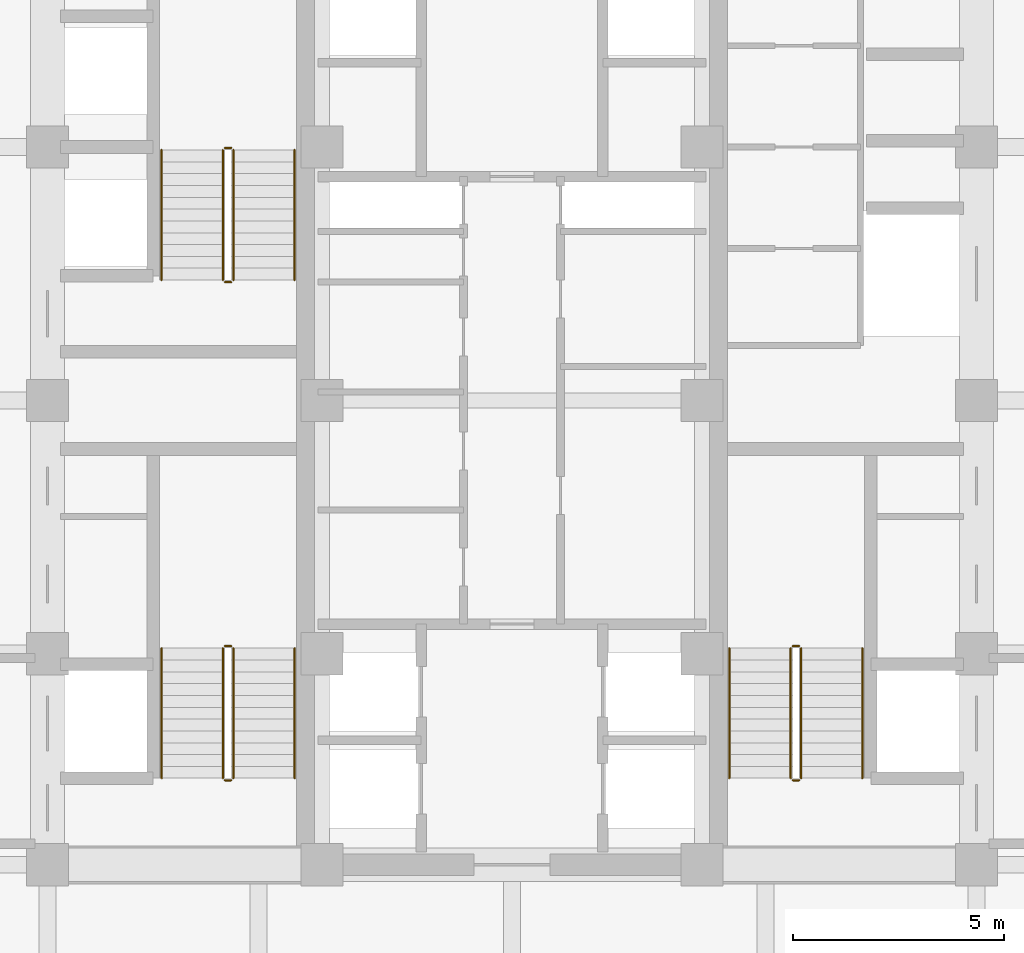
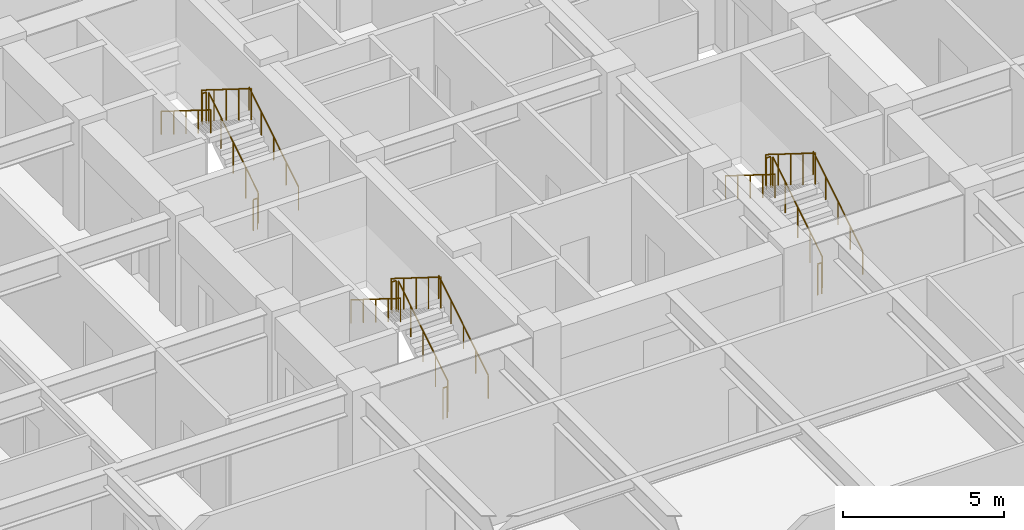
# One storey, part 28 of 28: 18 railings.
"""IFC4 building model written with IfcOpenShell, lengths in metres."""

from ifc_helpers import new_model, si_unit, direction, frame, origin, origin_2d, place, context, subcontext, project, spatial, circle, extrude, source, transform, mapped, material, type_object, element, save


model = new_model("IFC4")

# Units and contexts
model_context = context("Model", 3, precision=1e-05, world=origin(), true_north=direction((0.0, 1.0)))
body_context = subcontext(model_context, "Body", "Model", "MODEL_VIEW")
ifc_project = project(units=[si_unit("LENGTHUNIT", "METRE"), si_unit("AREAUNIT", "SQUARE_METRE"), si_unit("VOLUMEUNIT", "CUBIC_METRE"), si_unit("PLANEANGLEUNIT", "RADIAN"), si_unit("MASSUNIT", "GRAM", prefix="KILO")], contexts=[model_context])

# Site, building, storey
site_placement = place(None, origin())
site = spatial("IfcSite", under=ifc_project, at=site_placement, CompositionType="ELEMENT")
building_placement = place(site_placement, origin())
building = spatial("IfcBuilding", under=site, at=building_placement, Name="Khorayat Bourse Tower", CompositionType="ELEMENT")
storey_placement = place(building_placement, frame((0.0, 0.0, 66.199951171875)))
storey = spatial("IfcBuildingStorey", under=building, at=storey_placement, Name="L14", CompositionType="ELEMENT", Elevation=66.199951171875)

# Railings
ifc_material_1 = material(Name="Powder-coated steel balustrade", Category="steel")
railing_type_1 = type_object("IfcRailingType", Name="RLG-GUARD-1200", PredefinedType="GUARDRAIL", material=ifc_material_1)
shared_shape_1 = source(origin(), body_context, "Body", "SweptSolid", [
    extrude(circle(Radius=0.02392578125, at=origin_2d()), frame((0.0, 0.0, 1.17578125), z_axis=(-1.0, 0.0, 0.0), x_axis=(0.0, -1.0, 0.0)), (0.0, 0.0, 1.0), 0.150146484375),
    extrude(circle(Radius=0.02099609375, at=origin_2d()), origin(), (0.0, 0.0, 1.0), 1.15185546875),
    extrude(circle(Radius=0.02099609375, at=origin_2d()), frame((-0.150146484375, 0.0, 0.0)), (0.0, 0.0, 1.0), 1.15185546875),
])
for number, where, name in (
    (1, (-6.64990234375, -5.820068359375, 2.10009765625), "L14 ST-1 stair guard 2"),
    (2, (-6.64990234375, -9.0, 0.0), "L14 ST-1 stair guard 4"),
    (3, (-6.64990234375, 5.97998046875, 2.10009765625), "L14 ST-2 stair guard 2"),
    (4, (-6.64990234375, 2.800048828125, 0.0), "L14 ST-2 stair guard 4"),
    (5, (6.800048828125, -5.820068359375, 2.10009765625), "L14 ST-3 stair guard 2"),
    (6, (6.800048828125, -9.0, 0.0), "L14 ST-3 stair guard 4"),
):
    element("IfcRailing", number, at=place(storey_placement, frame(where)), inside=storey, type_object=railing_type_1, Name=name, PredefinedType="GUARDRAIL", context=body_context, shape_type="MappedRepresentation", body=[
        mapped(shared_shape_1, transform((0.0, 0.0, 0.0), scale=1.0)),
    ])
shared_shape_2 = source(origin(), body_context, "Body", "SweptSolid", [
    extrude(circle(Radius=0.02392578125, at=origin_2d()), frame((0.0, 0.0, 1.17578125), z_axis=(0.0, 0.847979421464, 0.530029150871), x_axis=(-1.0, 0.0, 0.0)), (0.0, 0.0, 1.0), 3.632080078125),
    extrude(circle(Radius=0.02099609375, at=origin_2d()), origin(), (0.0, 0.0, 1.0), 1.15185546875),
    extrude(circle(Radius=0.02099609375, at=origin_2d()), frame((0.0, 0.77001953125, 0.481201171875)), (0.0, 0.0, 1.0), 1.15185546875),
    extrude(circle(Radius=0.02099609375, at=origin_2d()), frame((0.0, 1.5400390625, 0.96240234375)), (0.0, 0.0, 1.0), 1.15185546875),
    extrude(circle(Radius=0.02099609375, at=origin_2d()), frame((0.0, 2.309814453125, 1.44384765625)), (0.0, 0.0, 1.0), 1.15185546875),
    extrude(circle(Radius=0.02099609375, at=origin_2d()), frame((0.0, 3.079833984375, 1.925048828125)), (0.0, 0.0, 1.0), 1.15185546875),
])
for number, where, name in (
    (7, (-6.60009765625, -8.949951171875, 0.175048828125), "L14 ST-1 stair guard 1"),
    (8, (-6.60009765625, 2.85009765625, 0.175048828125), "L14 ST-2 stair guard 1"),
    (9, (6.85009765625, -8.949951171875, 0.175048828125), "L14 ST-3 stair guard 1"),
):
    element("IfcRailing", number, at=place(storey_placement, frame(where)), inside=storey, type_object=railing_type_1, Name=name, PredefinedType="GUARDRAIL", context=body_context, shape_type="MappedRepresentation", body=[
        mapped(shared_shape_2, transform((0.0, 0.0, 0.0), scale=1.0)),
    ])
ifc_material_2 = material(Name="Brushed bronze stainless-steel handrail", Category="steel")
railing_type_2 = type_object("IfcRailingType", Name="RLG-HAND-900", PredefinedType="HANDRAIL", material=ifc_material_2)
shared_shape_3 = source(origin(), body_context, "Body", "SweptSolid", [
    extrude(circle(Radius=0.02392578125, at=origin_2d()), frame((0.0, 0.0, 0.8759765625), z_axis=(0.0, 0.847979421464, 0.530029150871), x_axis=(-1.0, 0.0, 0.0)), (0.0, 0.0, 1.0), 3.632080078125),
    extrude(circle(Radius=0.02099609375, at=origin_2d()), origin(), (0.0, 0.0, 1.0), 0.851806640625),
    extrude(circle(Radius=0.02099609375, at=origin_2d()), frame((0.0, 0.77001953125, 0.481201171875)), (0.0, 0.0, 1.0), 0.851806640625),
    extrude(circle(Radius=0.02099609375, at=origin_2d()), frame((0.0, 1.5400390625, 0.96240234375)), (0.0, 0.0, 1.0), 0.851806640625),
    extrude(circle(Radius=0.02099609375, at=origin_2d()), frame((0.0, 2.309814453125, 1.44384765625)), (0.0, 0.0, 1.0), 0.851806640625),
    extrude(circle(Radius=0.02099609375, at=origin_2d()), frame((0.0, 3.079833984375, 1.925048828125)), (0.0, 0.0, 1.0), 0.851806640625),
])
for number, where, name in (
    (10, (-5.14990234375, -8.949951171875, 0.175048828125), "L14 ST-1 stair handrail 1"),
    (11, (-5.14990234375, 2.85009765625, 0.175048828125), "L14 ST-2 stair handrail 1"),
    (12, (8.300048828125, -8.949951171875, 0.175048828125), "L14 ST-3 stair handrail 1"),
):
    element("IfcRailing", number, at=place(storey_placement, frame(where)), inside=storey, type_object=railing_type_2, Name=name, PredefinedType="HANDRAIL", context=body_context, shape_type="MappedRepresentation", body=[
        mapped(shared_shape_3, transform((0.0, 0.0, 0.0), scale=1.0)),
    ])
shared_shape_4 = source(origin(), body_context, "Body", "SweptSolid", [
    extrude(circle(Radius=0.02392578125, at=origin_2d()), frame((0.0, 0.0, 1.17578125), z_axis=(0.0, -0.848009633417, 0.529980812513), x_axis=(1.0, 0.0, 0.0)), (0.0, 0.0, 1.0), 3.6318359375),
    extrude(circle(Radius=0.02099609375, at=origin_2d()), origin(), (0.0, 0.0, 1.0), 1.15185546875),
    extrude(circle(Radius=0.02099609375, at=origin_2d()), frame((0.0, -0.77001953125, 0.481201171875)), (0.0, 0.0, 1.0), 1.15185546875),
    extrude(circle(Radius=0.02099609375, at=origin_2d()), frame((0.0, -1.5400390625, 0.96240234375)), (0.0, 0.0, 1.0), 1.15185546875),
    extrude(circle(Radius=0.02099609375, at=origin_2d()), frame((0.0, -2.309814453125, 1.443603515625)), (0.0, 0.0, 1.0), 1.15185546875),
    extrude(circle(Radius=0.02099609375, at=origin_2d()), frame((0.0, -3.079833984375, 1.9248046875)), (0.0, 0.0, 1.0), 1.15185546875),
])
for number, where, name in (
    (13, (-6.85009765625, -5.8701171875, 2.275146484375), "L14 ST-1 stair guard 3"),
    (14, (-6.85009765625, 5.929931640625, 2.275146484375), "L14 ST-2 stair guard 3"),
    (15, (6.60009765625, -5.8701171875, 2.275146484375), "L14 ST-3 stair guard 3"),
):
    element("IfcRailing", number, at=place(storey_placement, frame(where)), inside=storey, type_object=railing_type_1, Name=name, PredefinedType="GUARDRAIL", context=body_context, shape_type="MappedRepresentation", body=[
        mapped(shared_shape_4, transform((0.0, 0.0, 0.0), scale=1.0)),
    ])
shared_shape_5 = source(origin(), body_context, "Body", "SweptSolid", [
    extrude(circle(Radius=0.02392578125, at=origin_2d()), frame((0.0, 0.0, 0.8759765625), z_axis=(0.0, -0.848009633417, 0.529980812513), x_axis=(1.0, 0.0, 0.0)), (0.0, 0.0, 1.0), 3.6318359375),
    extrude(circle(Radius=0.02099609375, at=origin_2d()), origin(), (0.0, 0.0, 1.0), 0.851806640625),
    extrude(circle(Radius=0.02099609375, at=origin_2d()), frame((0.0, -0.77001953125, 0.481201171875)), (0.0, 0.0, 1.0), 0.851806640625),
    extrude(circle(Radius=0.02099609375, at=origin_2d()), frame((0.0, -1.5400390625, 0.96240234375)), (0.0, 0.0, 1.0), 0.851806640625),
    extrude(circle(Radius=0.02099609375, at=origin_2d()), frame((0.0, -2.309814453125, 1.443603515625)), (0.0, 0.0, 1.0), 0.851806640625),
    extrude(circle(Radius=0.02099609375, at=origin_2d()), frame((0.0, -3.079833984375, 1.9248046875)), (0.0, 0.0, 1.0), 0.851806640625),
])
for number, where, name in (
    (16, (-8.300048828125, -5.8701171875, 2.275146484375), "L14 ST-1 stair handrail 2"),
    (17, (-8.300048828125, 5.929931640625, 2.275146484375), "L14 ST-2 stair handrail 2"),
    (18, (5.14990234375, -5.8701171875, 2.275146484375), "L14 ST-3 stair handrail 2"),
):
    element("IfcRailing", number, at=place(storey_placement, frame(where)), inside=storey, type_object=railing_type_2, Name=name, PredefinedType="HANDRAIL", context=body_context, shape_type="MappedRepresentation", body=[
        mapped(shared_shape_5, transform((0.0, 0.0, 0.0), scale=1.0)),
    ])

save(model, "model.ifc")
